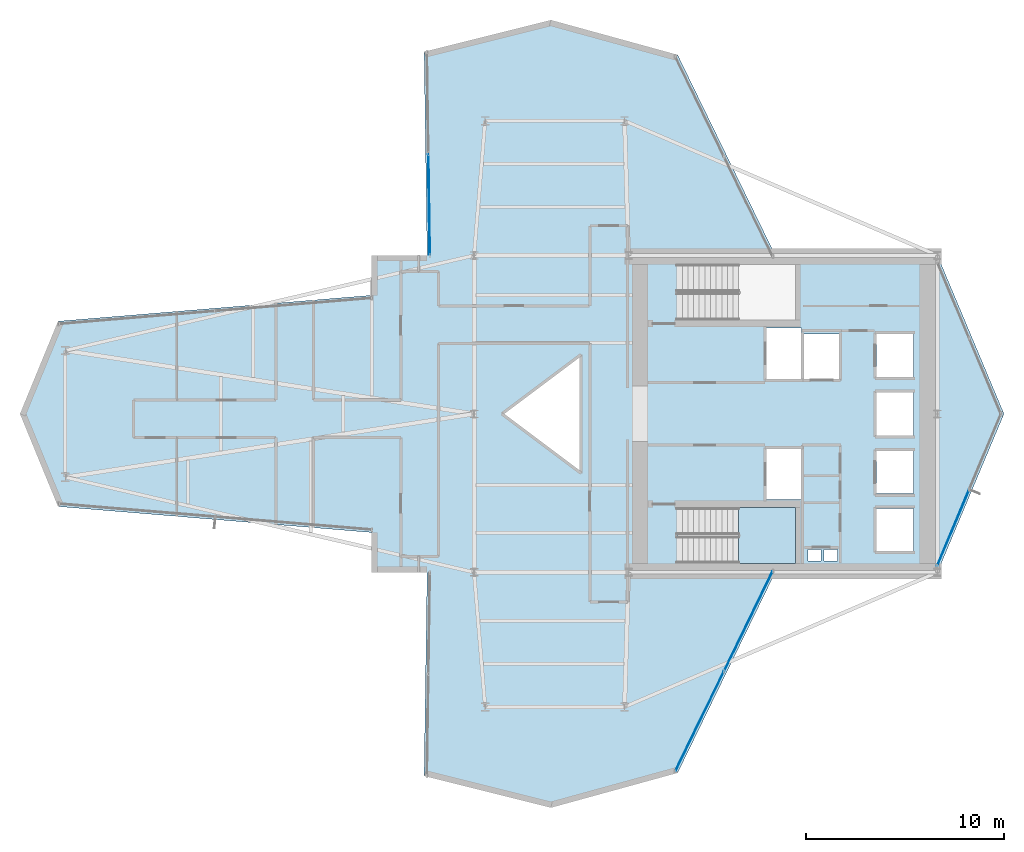
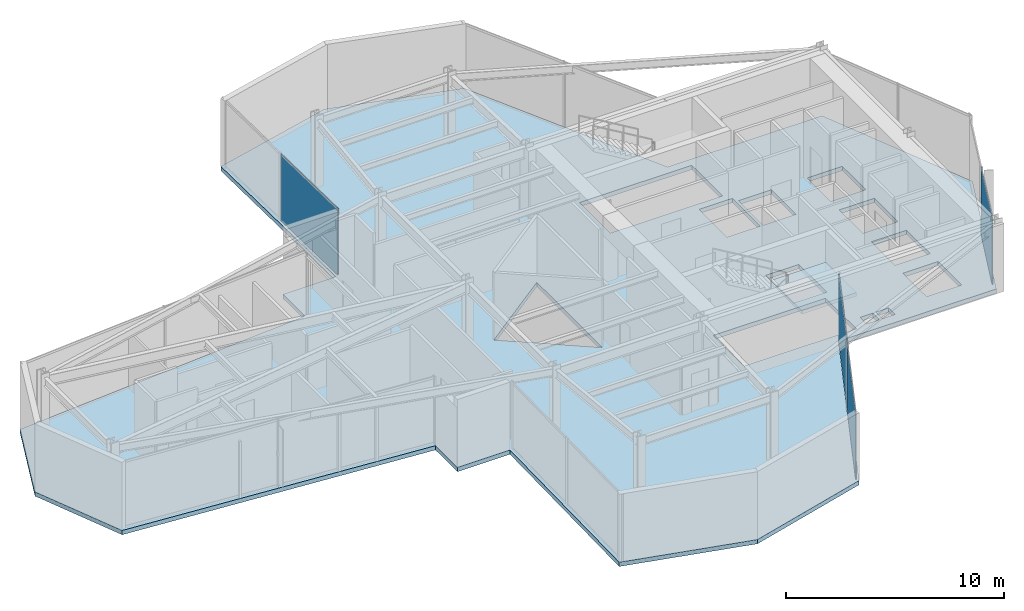
# One storey, part 20 of 25: 4 plates, 2 slabs, 4 elements without a shape of their own.
"""IFC4 building model written with IfcOpenShell, lengths in metres."""

from ifc_helpers import new_model, si_unit, direction, frame, origin, origin_2d, place, context, subcontext, project, spatial, polyline, rectangle, outline, extrude, material, layer, layer_set, type_object, element, aggregate, save


model = new_model("IFC4")

# Units and contexts
model_context = context("Model", 3, precision=1e-05, world=origin(), true_north=direction((0.0, 1.0)))
body_context = subcontext(model_context, "Body", "Model", "MODEL_VIEW")
ifc_project = project(units=[si_unit("LENGTHUNIT", "METRE"), si_unit("AREAUNIT", "SQUARE_METRE"), si_unit("VOLUMEUNIT", "CUBIC_METRE"), si_unit("PLANEANGLEUNIT", "RADIAN"), si_unit("MASSUNIT", "GRAM", prefix="KILO")], contexts=[model_context])

# Site, building, storey
site_placement = place(None, origin())
site = spatial("IfcSite", under=ifc_project, at=site_placement, CompositionType="ELEMENT")
building_placement = place(site_placement, origin())
building = spatial("IfcBuilding", under=site, at=building_placement, Name="Veymaron Broadcast Tower", CompositionType="ELEMENT")
storey_placement = place(building_placement, frame((0.0, 0.0, 120.89990234375)))
storey = spatial("IfcBuildingStorey", under=building, at=storey_placement, Name="L27", CompositionType="ELEMENT", Elevation=120.89990234375)

# Curtain wall, plate
ifc_material_1 = material(Name="Anodised aluminium AA 6063-T6 and laminated low-E dark glass", Category="aluminium")
ifc_layer_1 = layer(ifc_material_1, 0.179931640625)
ifc_layer_set_1 = layer_set([ifc_layer_1], Name="Anodised aluminium AA 6063-T6 and laminated low-E dark glass")
curtain_wall_type = type_object("IfcCurtainWallType", Name="CW-SYS-03", PredefinedType="NOTDEFINED", material=ifc_layer_set_1)
curtain_wall_1_placement = place(storey_placement, origin())
curtain_wall_1 = element("IfcCurtainWall", 1, at=curtain_wall_1_placement, inside=storey, type_object=curtain_wall_type, Name="L27 dark-glass curtain wall CW-L27-E2-1", PredefinedType="NOTDEFINED")
ifc_material_2 = material(Name="Insulated dark-anodised aluminium spandrel panel 40 mm", Category="aluminium")
ifc_layer_2 = layer(ifc_material_2, 0.0400390625)
ifc_layer_set_2 = layer_set([ifc_layer_2], Name="Insulated dark-anodised aluminium spandrel panel 40 mm")
plate_type = type_object("IfcPlateType", Name="CW-PNL-03", PredefinedType="CURTAIN_PANEL", material=ifc_layer_set_2)
plate_1_placement = place(storey_placement, frame((55.390380859375, 18.243408203125, 0.0400390625), z_axis=(0.0, 0.0, 1.0), x_axis=(0.387225955483, 0.921984847706, 0.0)))
plate_1 = element("IfcPlate", 2, at=plate_1_placement, type_object=plate_type, Name="CW-L27-E2-1 unitised curtain panel 0", PredefinedType="CURTAIN_PANEL", context=body_context, shape_type="SweptSolid", body=[
    extrude(rectangle(XDim=4.141845703125, YDim=0.0400390625, at=origin_2d()), origin(), (0.0, 0.0, 1.0), 3.72998046875),
])
aggregate(curtain_wall_1, [plate_1])

curtain_wall_2_placement = place(storey_placement, origin())
curtain_wall_2 = element("IfcCurtainWall", 3, at=curtain_wall_2_placement, inside=storey, type_object=curtain_wall_type, Name="L27 dark-glass curtain wall CW-L27-E8-1", PredefinedType="NOTDEFINED")
plate_2_placement = place(storey_placement, frame((28.9306640625, 34.572021484375, 0.0400390625), z_axis=(0.0, 0.0, 1.0), x_axis=(0.014642789111, -0.999892788616, 0.0)))
plate_2 = element("IfcPlate", 4, at=plate_2_placement, type_object=plate_type, Name="CW-L27-E8-1 unitised curtain panel 1", PredefinedType="CURTAIN_PANEL", context=body_context, shape_type="SweptSolid", body=[
    extrude(rectangle(XDim=5.08056640625, YDim=0.0400390625, at=origin_2d()), origin(), (0.0, 0.0, 1.0), 3.72998046875),
])
aggregate(curtain_wall_2, [plate_2])

# Curtain wall, plates
curtain_wall_3_placement = place(storey_placement, origin())
curtain_wall_3 = element("IfcCurtainWall", 5, at=curtain_wall_3_placement, inside=storey, type_object=curtain_wall_type, Name="L27 dark-glass curtain wall CW-L27-E20-1", PredefinedType="NOTDEFINED")
plate_3_placement = place(storey_placement, frame((42.58837890625, 8.47119140625, 0.0400390625), z_axis=(0.0, 0.0, 1.0), x_axis=(0.437822022994, 0.899061664282, 0.0)))
plate_3 = element("IfcPlate", 6, at=plate_3_placement, type_object=plate_type, Name="CW-L27-E20-1 unitised curtain panel 0", PredefinedType="CURTAIN_PANEL", context=body_context, shape_type="SweptSolid", body=[
    extrude(rectangle(XDim=5.568115234375, YDim=0.0400390625, at=origin_2d()), origin(), (0.0, 0.0, 1.0), 3.72998046875),
])
plate_4_placement = place(storey_placement, frame((45.052490234375, 13.53125, 0.0400390625), z_axis=(0.0, 0.0, 1.0), x_axis=(0.437822022994, 0.899061664282, 0.0)))
plate_4 = element("IfcPlate", 7, at=plate_4_placement, type_object=plate_type, Name="CW-L27-E20-1 unitised curtain panel 1", PredefinedType="CURTAIN_PANEL", context=body_context, shape_type="SweptSolid", body=[
    extrude(rectangle(XDim=5.568115234375, YDim=0.0400390625, at=origin_2d()), origin(), (0.0, 0.0, 1.0), 3.72998046875),
])
aggregate(curtain_wall_3, [plate_3, plate_4])

# Slab
ifc_material_3 = material(Name="Concrete C40/50", Category="concrete")
ifc_layer_3 = layer(ifc_material_3, 0.239990234375)
ifc_layer_set_3 = layer_set([ifc_layer_3], Name="Concrete C40/50")
slab_type_1 = type_object("IfcSlabType", Name="SLAB-FS6", PredefinedType="FLOOR", material=ifc_layer_set_3)
slab_1_placement = place(storey_placement, frame((0.0, 0.0, -0.239990234375)))
element("IfcSlab", 8, at=slab_1_placement, inside=storey, type_object=slab_type_1, Name="L27 structural floor slab", PredefinedType="FLOOR", context=body_context, shape_type="SweptSolid", body=[
    extrude(outline(polyline([(46.410400390625, 16.0), (54.60009765625, 16.0), (57.9599609375, 24.0), (54.60009765625, 32.0), (46.410400390625, 32.0), (41.482177734375, 42.1201171875), (35.080078125, 43.8798828125), (28.677734375, 42.280029296875), (28.828369140625, 32.0), (26.0400390625, 32.0), (26.0400390625, 29.990478515625), (10.199951171875, 28.6787109375), (8.280029296875, 24.0), (10.199951171875, 19.3212890625), (26.0400390625, 18.009521484375), (26.0400390625, 16.0), (28.828369140625, 16.0), (28.677734375, 5.719970703125), (35.080078125, 4.1201171875), (41.482177734375, 5.8798828125), (46.410400390625, 16.0)]), holes=[polyline([(45.969970703125, 28.330078125), (47.72998046875, 28.330078125), (47.72998046875, 25.77001953125), (45.969970703125, 25.77001953125), (45.969970703125, 28.330078125)]), polyline([(45.969970703125, 22.22998046875), (47.72998046875, 22.22998046875), (47.72998046875, 19.669921875), (45.969970703125, 19.669921875), (45.969970703125, 22.22998046875)]), polyline([(47.8701171875, 28.030029296875), (49.6298828125, 28.030029296875), (49.6298828125, 25.77001953125), (47.8701171875, 25.77001953125), (47.8701171875, 28.030029296875)]), polyline([(51.52001953125, 28.030029296875), (53.3798828125, 28.030029296875), (53.3798828125, 25.8701171875), (51.52001953125, 25.8701171875), (51.52001953125, 28.030029296875)]), polyline([(51.52001953125, 22.1298828125), (53.3798828125, 22.1298828125), (53.3798828125, 19.969970703125), (51.52001953125, 19.969970703125), (51.52001953125, 22.1298828125)]), polyline([(51.52001953125, 25.080078125), (53.3798828125, 25.080078125), (53.3798828125, 22.919921875), (51.52001953125, 22.919921875), (51.52001953125, 25.080078125)]), polyline([(51.52001953125, 19.22998046875), (53.3798828125, 19.22998046875), (53.3798828125, 17.070068359375), (51.52001953125, 17.070068359375), (51.52001953125, 19.22998046875)]), polyline([(48.050048828125, 17.159912109375), (48.719970703125, 17.159912109375), (48.719970703125, 16.56005859375), (48.050048828125, 16.56005859375), (48.050048828125, 17.159912109375)]), polyline([(48.8798828125, 17.159912109375), (49.550048828125, 17.159912109375), (49.550048828125, 16.56005859375), (48.8798828125, 16.56005859375), (48.8798828125, 17.159912109375)]), polyline([(36.60009765625, 27.0), (36.60009765625, 21.0), (32.60009765625, 24.0), (36.60009765625, 27.0)]), polyline([(41.489990234375, 31.550048828125), (47.43994140625, 31.550048828125), (47.43994140625, 28.72998046875), (41.489990234375, 28.72998046875), (41.489990234375, 31.550048828125)]), polyline([(41.489990234375, 19.27001953125), (47.43994140625, 19.27001953125), (47.43994140625, 16.449951171875), (41.489990234375, 16.449951171875), (41.489990234375, 19.27001953125)])]), origin(), (0.0, 0.0, 1.0), 0.239990234375),
])

# Stair, slab
ifc_material_4 = material(Name="Concrete C50/60", Category="concrete")
stair_type = type_object("IfcStairType", Name="STAIR-CORE-2", PredefinedType="HALF_TURN_STAIR", material=ifc_material_4)
stair_placement = place(storey_placement, origin())
stair = element("IfcStair", 9, at=stair_placement, inside=storey, type_object=stair_type, Name="L27 South protected dog-leg exit stair ST2", PredefinedType="HALF_TURN_STAIR")
ifc_layer_4 = layer(ifc_material_4, 0.199951171875)
ifc_layer_set_4 = layer_set([ifc_layer_4], Name="Concrete C50/60")
slab_type_2 = type_object("IfcSlabType", Name="SLAB-STAIR-LDG", PredefinedType="LANDING", material=ifc_layer_set_4)
slab_2_placement = place(storey_placement, frame((0.0, 0.0, 1.8251953125)))
slab_2 = element("IfcSlab", 10, at=slab_2_placement, type_object=slab_type_2, Name="ST2 landing 1", PredefinedType="LANDING", context=body_context, shape_type="SweptSolid", body=[
    extrude(outline(polyline([(44.56494140625, 16.449951171875), (47.43994140625, 16.449951171875), (47.43994140625, 19.27001953125), (44.56494140625, 19.27001953125), (44.56494140625, 16.449951171875)])), origin(), (0.0, 0.0, 1.0), 0.199951171875),
])
aggregate(stair, [slab_2])

save(model, "model.ifc")
